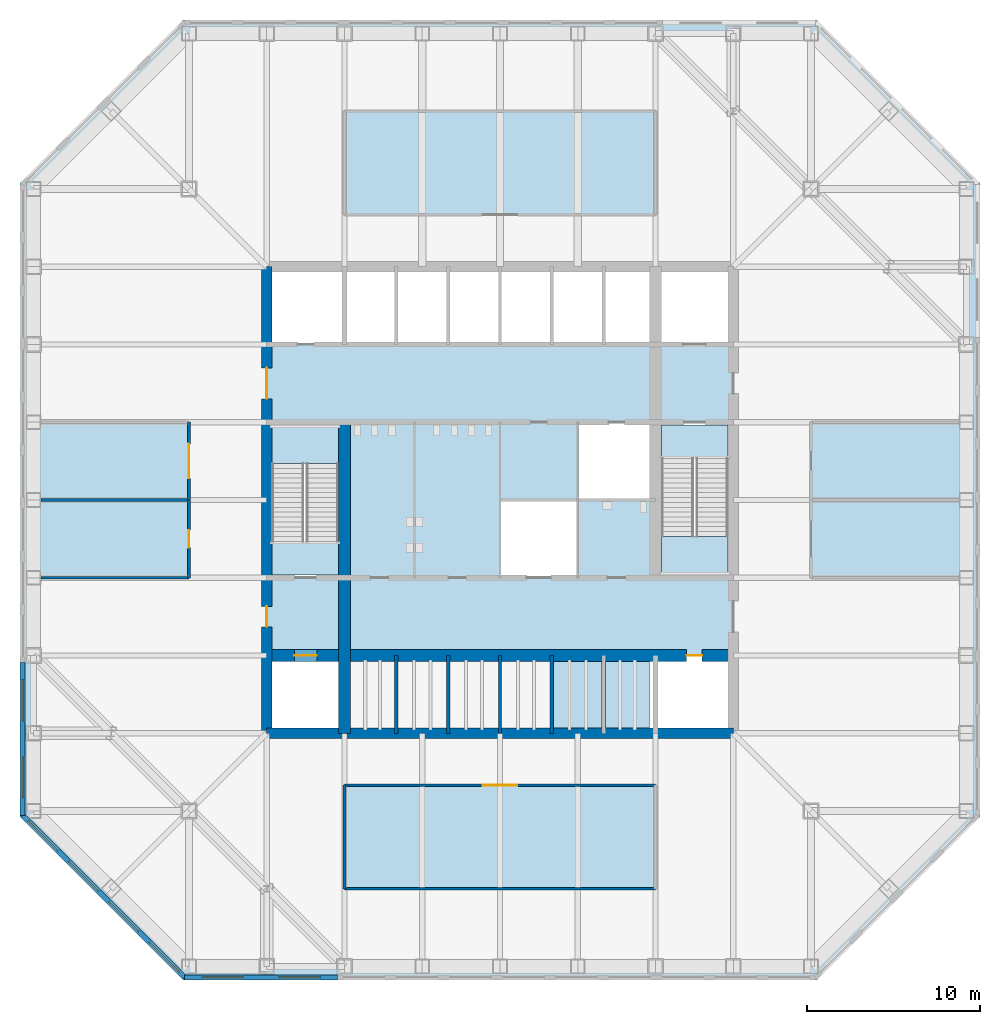
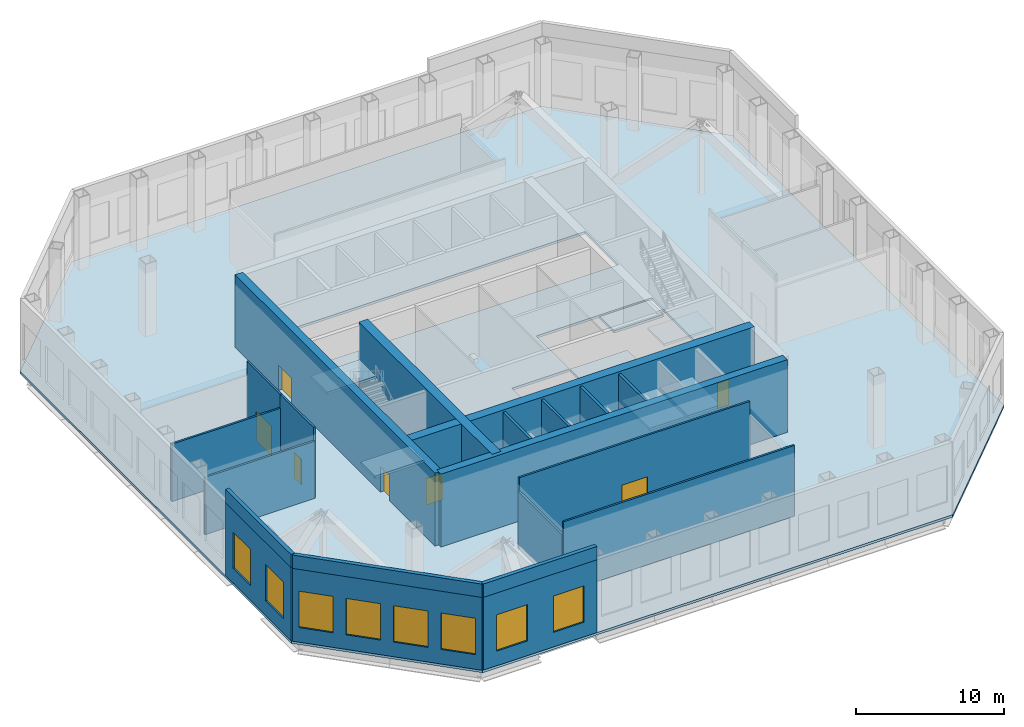
# One storey, part 5 of 11: 21 walls, 8 windows, 7 doors, 7 slabs, 15 openings, 2 elements without a shape of their own.
"""IFC4 building model written with IfcOpenShell, lengths in metres."""

from ifc_helpers import new_model, si_unit, direction, frame, frame_2d, origin, place, context, subcontext, project, spatial, polyline, rectangle, outline, extrude, material, layer, layer_set, type_object, element, fill, aggregate, save


model = new_model("IFC4")

# Units and contexts
model_context = context("Model", 3, precision=1e-05, world=origin(), true_north=direction((0.0, 1.0)))
body_context = subcontext(model_context, "Body", "Model", "MODEL_VIEW")
ifc_project = project(units=[si_unit("LENGTHUNIT", "METRE"), si_unit("AREAUNIT", "SQUARE_METRE"), si_unit("VOLUMEUNIT", "CUBIC_METRE"), si_unit("PLANEANGLEUNIT", "RADIAN"), si_unit("MASSUNIT", "GRAM", prefix="KILO")], contexts=[model_context])

# Site, building, storey
site_placement = place(None, origin())
site = spatial("IfcSite", under=ifc_project, at=site_placement, CompositionType="ELEMENT")
building_placement = place(site_placement, origin())
building = spatial("IfcBuilding", under=site, at=building_placement, Name="Corais Broadcast Tower", CompositionType="ELEMENT")
storey_placement = place(building_placement, frame((0.0, 0.0, 104.60009765625)))
storey = spatial("IfcBuildingStorey", under=building, at=storey_placement, Name="L23", CompositionType="ELEMENT", Elevation=104.60009765625)

# Slabs
ifc_material_1 = material(Name="Concrete C30/37", Category="concrete")
ifc_layer_1 = layer(ifc_material_1, 0.199951171875)
ifc_layer_set_1 = layer_set([ifc_layer_1], Name="Concrete C30/37")
slab_type_1 = type_object("IfcSlabType", Name="Composite floor slab 200", PredefinedType="FLOOR", material=ifc_layer_set_1)
slab_1_placement = place(storey_placement, frame((0.0, 0.0, -0.2001953125)))
element("IfcSlab", 1, at=slab_1_placement, inside=storey, type_object=slab_type_1, Name="S200 floor slab L23", PredefinedType="FLOOR", context=body_context, shape_type="SweptSolid", body=[
    extrude(outline(polyline([(8.677001953125, -0.780029296875), (-0.780029296875, 8.677001953125), (-0.780029296875, 45.322998046875), (8.677001953125, 54.780029296875), (45.322998046875, 54.780029296875), (54.780029296875, 45.322998046875), (54.780029296875, 8.677001953125), (45.322998046875, -0.780029296875), (8.677001953125, -0.780029296875)]), holes=[polyline([(13.5, 18.0), (40.5, 18.0), (40.5, 13.5), (13.5, 13.5), (13.5, 18.0)]), polyline([(13.5, 22.5), (13.5, 31.5), (18.0, 31.5), (18.0, 22.5), (13.5, 22.5)]), polyline([(13.5, 40.5), (40.5, 40.5), (40.5, 36.0), (13.5, 36.0), (13.5, 40.5)]), polyline([(27.0, 22.5), (27.0, 27.0), (31.4951171875, 27.0), (31.4951171875, 27.0048828125), (31.5, 27.0048828125), (31.5, 31.5), (40.5, 31.5), (40.5, 22.5), (36.0, 22.5), (36.0, 27.0), (31.5048828125, 27.0), (31.5048828125, 26.9951171875), (31.5, 26.9951171875), (31.5, 22.5), (27.0, 22.5)])]), origin(), (0.0, 0.0, 1.0), 0.2001953125),
])
ifc_material_2 = material(Name="Concrete C30/37", Category="concrete")
ifc_layer_2 = layer(ifc_material_2, 0.199951171875)
ifc_layer_set_2 = layer_set([ifc_layer_2], Name="Concrete C30/37")
slab_type_2 = type_object("IfcSlabType", Name="Lift shaft slab 200", PredefinedType="FLOOR", material=ifc_layer_set_2)
slab_2_placement = place(storey_placement, frame((0.0, 0.0, 3.39990234375)))
element("IfcSlab", 2, at=slab_2_placement, inside=storey, type_object=slab_type_2, Name="SS1 lift shaft slab L23 5", PredefinedType="FLOOR", context=body_context, shape_type="SweptSolid", body=[
    extrude(outline(polyline([(30.10009765625, 13.800048828125), (32.89990234375, 13.800048828125), (32.89990234375, 17.64990234375), (30.10009765625, 17.64990234375), (30.10009765625, 13.800048828125)])), origin(), (0.0, 0.0, 1.0), 0.199951171875),
])
slab_3_placement = place(storey_placement, frame((0.0, 0.0, 3.39990234375)))
element("IfcSlab", 3, at=slab_3_placement, inside=storey, type_object=slab_type_2, Name="SS1 lift shaft slab L23 6", PredefinedType="FLOOR", context=body_context, shape_type="SweptSolid", body=[
    extrude(outline(polyline([(33.10009765625, 13.800048828125), (35.64990234375, 13.800048828125), (35.64990234375, 17.64990234375), (33.10009765625, 17.64990234375), (33.10009765625, 13.800048828125)])), origin(), (0.0, 0.0, 1.0), 0.199951171875),
])

# Stair, slabs
ifc_material_3 = material(Name="Concrete C30/37", Category="concrete")
stair_type = type_object("IfcStairType", Name="Half-turn stair 6000", PredefinedType="HALF_TURN_STAIR", material=ifc_material_3)
stair_1_placement = place(storey_placement, origin())
stair_1 = element("IfcStair", 4, at=stair_1_placement, inside=storey, type_object=stair_type, Name="Stair A L23", PredefinedType="HALF_TURN_STAIR")
ifc_material_4 = material(Name="Concrete C30/37", Category="concrete")
ifc_layer_3 = layer(ifc_material_4, 0.199951171875)
ifc_layer_set_3 = layer_set([ifc_layer_3], Name="Concrete C30/37")
slab_type_3 = type_object("IfcSlabType", Name="Stair landing 200", PredefinedType="LANDING", material=ifc_layer_set_3)
slab_4_placement = place(storey_placement, frame((0.0, 0.0, -0.2001953125)))
slab_4 = element("IfcSlab", 5, at=slab_4_placement, type_object=slab_type_3, Name="STA landing 1", PredefinedType="LANDING", context=body_context, shape_type="SweptSolid", body=[
    extrude(outline(polyline([(13.800048828125, 22.64990234375), (17.64990234375, 22.64990234375), (17.64990234375, 24.60009765625), (13.800048828125, 24.60009765625), (13.800048828125, 22.64990234375)])), origin(), (0.0, 0.0, 1.0), 0.2001953125),
])
slab_5_placement = place(storey_placement, frame((0.0, 0.0, 2.7998046875)))
slab_5 = element("IfcSlab", 6, at=slab_5_placement, type_object=slab_type_3, Name="STA landing 2", PredefinedType="LANDING", context=body_context, shape_type="SweptSolid", body=[
    extrude(outline(polyline([(13.800048828125, 29.112060546875), (17.64990234375, 29.112060546875), (17.64990234375, 31.35009765625), (13.800048828125, 31.35009765625), (13.800048828125, 29.112060546875)])), origin(), (0.0, 0.0, 1.0), 0.2001953125),
])
aggregate(stair_1, [slab_4, slab_5])

stair_2_placement = place(storey_placement, origin())
stair_2 = element("IfcStair", 7, at=stair_2_placement, inside=storey, type_object=stair_type, Name="Stair B L23", PredefinedType="HALF_TURN_STAIR")
slab_6_placement = place(storey_placement, frame((0.0, 0.0, -0.2001953125)))
slab_6 = element("IfcSlab", 8, at=slab_6_placement, type_object=slab_type_3, Name="STB landing 1", PredefinedType="LANDING", context=body_context, shape_type="SweptSolid", body=[
    extrude(outline(polyline([(36.35009765625, 29.39990234375), (40.199951171875, 29.39990234375), (40.199951171875, 31.35009765625), (36.35009765625, 31.35009765625), (36.35009765625, 29.39990234375)])), origin(), (0.0, 0.0, 1.0), 0.2001953125),
])
slab_7_placement = place(storey_placement, frame((0.0, 0.0, 2.7998046875)))
slab_7 = element("IfcSlab", 9, at=slab_7_placement, type_object=slab_type_3, Name="STB landing 2", PredefinedType="LANDING", context=body_context, shape_type="SweptSolid", body=[
    extrude(outline(polyline([(36.35009765625, 22.64990234375), (40.199951171875, 22.64990234375), (40.199951171875, 24.887939453125), (36.35009765625, 24.887939453125), (36.35009765625, 22.64990234375)])), origin(), (0.0, 0.0, 1.0), 0.2001953125),
])
aggregate(stair_2, [slab_6, slab_7])

# Wall
ifc_material_5 = material(Name="Concrete C50/60", Category="concrete")
ifc_layer_4 = layer(ifc_material_5, 0.699951171875)
ifc_layer_set_4 = layer_set([ifc_layer_4], Name="Concrete C50/60")
wall_type_1 = type_object("IfcWallType", Name="Core spine wall 700", PredefinedType="SHEAR", material=ifc_layer_set_4)
wall_1_placement = place(storey_placement, frame((18.0, 13.5, 0.0), z_axis=(0.0, 0.0, 1.0), x_axis=(0.0, 1.0, 0.0)))
element("IfcWall", 10, at=wall_1_placement, inside=storey, type_object=wall_type_1, Name="CR700 core wall X18A L23", PredefinedType="SHEAR", context=body_context, shape_type="SweptSolid", body=[
    extrude(rectangle(XDim=18.0, YDim=0.699951171875, at=frame_2d((9.0, 0.0))), origin(), (0.0, 0.0, 1.0), 6.0),
])

# Wall, openings, doors
wall_2_placement = place(storey_placement, frame((13.5, 18.0, 0.0), z_axis=(0.0, 0.0, 1.0), x_axis=(1.0, 0.0, 0.0)))
wall_2 = element("IfcWall", 11, at=wall_2_placement, inside=storey, type_object=wall_type_1, Name="CR700 core wall Y18 L23", PredefinedType="SHEAR", context=body_context, shape_type="SweptSolid", body=[
    extrude(rectangle(XDim=27.0, YDim=0.699951171875, at=frame_2d((13.5, 0.0))), origin(), (0.0, 0.0, 1.0), 6.0),
])
opening_1_placement = place(wall_2_placement, frame((24.300048828125, 0.0, 0.0)))
opening_1 = element("IfcOpeningElement", 12, at=opening_1_placement, cuts=wall_2, Name="Opening RD1", PredefinedType="OPENING", context=body_context, shape_type="SweptSolid", body=[
    extrude(rectangle(XDim=0.89990234375, YDim=2.10009765625, at=frame_2d((0.449951171875, 1.050048828125))), frame((0.0, 0.35986328125, 0.0), z_axis=(0.0, -1.0, 0.0), x_axis=(1.0, 0.0, 0.0)), (0.0, 0.0, 1.0), 0.719970703125),
])
opening_2_placement = place(wall_2_placement, frame((1.60009765625, 0.0, 0.0)))
opening_2 = element("IfcOpeningElement", 13, at=opening_2_placement, cuts=wall_2, Name="Opening LD2", PredefinedType="OPENING", context=body_context, shape_type="SweptSolid", body=[
    extrude(rectangle(XDim=1.300048828125, YDim=2.199951171875, at=frame_2d((0.64990234375, 1.10009765625))), frame((0.0, 0.35986328125, 0.0), z_axis=(0.0, -1.0, 0.0), x_axis=(1.0, 0.0, 0.0)), (0.0, 0.0, 1.0), 0.719970703125),
])
ifc_material_6 = material(Name="Stainless steel lift door", Category="steel")
door_type_1 = type_object("IfcDoorType", Name="Lift landing door 1300x2200", OperationType="SLIDING_TO_LEFT", PredefinedType="DOOR", material=ifc_material_6)
door_1_placement = place(opening_2_placement, origin())
door_1 = element("IfcDoor", 14, at=door_1_placement, inside=storey, type_object=door_type_1, Name="LD2 FL1 landing door L23", OperationType="SLIDING_TO_LEFT", OverallHeight=2.199951171875, OverallWidth=1.300048828125, PredefinedType="DOOR", context=body_context, shape_type="SweptSolid", body=[
    extrude(rectangle(XDim=1.300048828125, YDim=2.199951171875, at=frame_2d((0.64990234375, 1.10009765625))), frame((0.0, 0.02490234375, 0.0), z_axis=(0.0, -1.0, 0.0), x_axis=(1.0, 0.0, 0.0)), (0.0, 0.0, 1.0), 0.050048828125),
])
fill(opening_2, door_1)
ifc_material_7 = material(Name="Steel fire door", Category="steel")
door_type_2 = type_object("IfcDoorType", Name="Riser door 900x2100", OperationType="SINGLE_SWING_LEFT", PredefinedType="DOOR", material=ifc_material_7)
door_2_placement = place(opening_1_placement, origin())
door_2 = element("IfcDoor", 15, at=door_2_placement, inside=storey, type_object=door_type_2, Name="RD1 riser door L23", OperationType="SINGLE_SWING_RIGHT", OverallHeight=2.10009765625, OverallWidth=0.89990234375, PredefinedType="DOOR", context=body_context, shape_type="SweptSolid", body=[
    extrude(rectangle(XDim=0.89990234375, YDim=2.10009765625, at=frame_2d((0.449951171875, 1.050048828125))), frame((0.0, 0.02490234375, 0.0), z_axis=(0.0, -1.0, 0.0), x_axis=(1.0, 0.0, 0.0)), (0.0, 0.0, 1.0), 0.050048828125),
])
fill(opening_1, door_2)

# Wall
ifc_material_8 = material(Name="Concrete C50/60", Category="concrete")
ifc_layer_5 = layer(ifc_material_8, 0.60009765625)
ifc_layer_set_5 = layer_set([ifc_layer_5], Name="Concrete C50/60")
wall_type_2 = type_object("IfcWallType", Name="Core wall 600", PredefinedType="SHEAR", material=ifc_layer_set_5)
wall_3_placement = place(storey_placement, frame((13.5, 13.5, 0.0), z_axis=(0.0, 0.0, 1.0), x_axis=(1.0, 0.0, 0.0)))
element("IfcWall", 16, at=wall_3_placement, inside=storey, type_object=wall_type_2, Name="CR600 core wall S L23", PredefinedType="SHEAR", context=body_context, shape_type="SweptSolid", body=[
    extrude(rectangle(XDim=27.0, YDim=0.60009765625, at=frame_2d((13.5, 0.0))), origin(), (0.0, 0.0, 1.0), 6.0),
])

# Wall, openings, doors
wall_4_placement = place(storey_placement, frame((13.5, 40.5, 0.0), z_axis=(0.0, 0.0, 1.0), x_axis=(0.0, -1.0, 0.0)))
wall_4 = element("IfcWall", 17, at=wall_4_placement, inside=storey, type_object=wall_type_2, Name="CR600 core wall W L23", PredefinedType="SHEAR", context=body_context, shape_type="SweptSolid", body=[
    extrude(rectangle(XDim=27.0, YDim=0.60009765625, at=frame_2d((13.5, 0.0))), origin(), (0.0, 0.0, 1.0), 6.0),
])
opening_3_placement = place(wall_4_placement, frame((19.64990234375, 0.0, 0.0)))
opening_3 = element("IfcOpeningElement", 18, at=opening_3_placement, cuts=wall_4, Name="Opening FD1", PredefinedType="OPENING", context=body_context, shape_type="SweptSolid", body=[
    extrude(rectangle(XDim=1.199951171875, YDim=2.10009765625, at=frame_2d((0.60009765625, 1.050048828125))), frame((0.0, 0.31005859375, 0.0), z_axis=(0.0, -1.0, 0.0), x_axis=(1.0, 0.0, 0.0)), (0.0, 0.0, 1.0), 0.6201171875),
])
opening_4_placement = place(wall_4_placement, frame((5.85009765625, 0.0, 0.0)))
opening_4 = element("IfcOpeningElement", 19, at=opening_4_placement, cuts=wall_4, Name="Opening FD2", PredefinedType="OPENING", context=body_context, shape_type="SweptSolid", body=[
    extrude(rectangle(XDim=1.800048828125, YDim=2.10009765625, at=frame_2d((0.89990234375, 1.050048828125))), frame((0.0, 0.31005859375, 0.0), z_axis=(0.0, -1.0, 0.0), x_axis=(1.0, 0.0, 0.0)), (0.0, 0.0, 1.0), 0.6201171875),
])
ifc_material_9 = material(Name="Steel fire door", Category="steel")
door_type_3 = type_object("IfcDoorType", Name="Fire door 1200x2100", OperationType="SINGLE_SWING_LEFT", PredefinedType="DOOR", material=ifc_material_9)
door_3_placement = place(opening_3_placement, origin())
door_3 = element("IfcDoor", 20, at=door_3_placement, inside=storey, type_object=door_type_3, Name="FD1 fire lobby A door L23", OperationType="SINGLE_SWING_RIGHT", OverallHeight=2.10009765625, OverallWidth=1.199951171875, PredefinedType="DOOR", context=body_context, shape_type="SweptSolid", body=[
    extrude(rectangle(XDim=1.199951171875, YDim=2.10009765625, at=frame_2d((0.60009765625, 1.050048828125))), frame((0.0, 0.02490234375, 0.0), z_axis=(0.0, -1.0, 0.0), x_axis=(1.0, 0.0, 0.0)), (0.0, 0.0, 1.0), 0.050048828125),
])
fill(opening_3, door_3)
ifc_material_10 = material(Name="Steel fire door", Category="steel")
door_type_4 = type_object("IfcDoorType", Name="Fire door pair 1800x2100", OperationType="DOUBLE_DOOR_SINGLE_SWING", PredefinedType="DOOR", material=ifc_material_10)
door_4_placement = place(opening_4_placement, origin())
door_4 = element("IfcDoor", 21, at=door_4_placement, inside=storey, type_object=door_type_4, Name="FD2 lift lobby door L23", OperationType="SINGLE_SWING_LEFT", OverallHeight=2.10009765625, OverallWidth=1.800048828125, PredefinedType="DOOR", context=body_context, shape_type="SweptSolid", body=[
    extrude(rectangle(XDim=1.800048828125, YDim=2.10009765625, at=frame_2d((0.89990234375, 1.050048828125))), frame((0.0, 0.02490234375, 0.0), z_axis=(0.0, -1.0, 0.0), x_axis=(1.0, 0.0, 0.0)), (0.0, 0.0, 1.0), 0.050048828125),
])
fill(opening_4, door_4)

# Wall
ifc_material_11 = material(Name="Two layers of fire-rated gypsum board each side on steel studs", Category="steel")
ifc_layer_6 = layer(ifc_material_11, 0.14990234375)
ifc_layer_set_6 = layer_set([ifc_layer_6], Name="Two layers of fire-rated gypsum board each side on steel studs")
wall_type_3 = type_object("IfcWallType", Name="Fire-rated partition 150 EI 60", PredefinedType="PARTITIONING", material=ifc_layer_set_6)
wall_5_placement = place(storey_placement, frame((18.0, 4.5, 0.0), z_axis=(0.0, 0.0, 1.0), x_axis=(1.0, 0.0, 0.0)))
element("IfcWall", 22, at=wall_5_placement, inside=storey, type_object=wall_type_3, Name="IW7 partition L23", PredefinedType="PARTITIONING", context=body_context, shape_type="SweptSolid", body=[
    extrude(rectangle(XDim=18.0, YDim=0.14990234375, at=frame_2d((9.0, 0.0))), origin(), (0.0, 0.0, 1.0), 5.81982421875),
])

# Wall, opening, door
wall_6_placement = place(storey_placement, frame((36.0, 10.5, 0.0), z_axis=(0.0, 0.0, 1.0), x_axis=(-1.0, 0.0, 0.0)))
wall_6 = element("IfcWall", 23, at=wall_6_placement, inside=storey, type_object=wall_type_3, Name="IW7 partition L23", PredefinedType="PARTITIONING", context=body_context, shape_type="SweptSolid", body=[
    extrude(rectangle(XDim=18.0, YDim=0.14990234375, at=frame_2d((9.0, 0.0))), origin(), (0.0, 0.0, 1.0), 5.81982421875),
])
opening_5_placement = place(wall_6_placement, frame((8.0, 0.0, 0.0)))
opening_5 = element("IfcOpeningElement", 24, at=opening_5_placement, cuts=wall_6, Name="Opening D4", PredefinedType="OPENING", context=body_context, shape_type="SweptSolid", body=[
    extrude(rectangle(XDim=2.0, YDim=2.39990234375, at=frame_2d((1.0, 1.199951171875))), frame((0.0, 0.0849609375, 0.0), z_axis=(0.0, -1.0, 0.0), x_axis=(1.0, 0.0, 0.0)), (0.0, 0.0, 1.0), 0.169921875),
])
ifc_material_12 = material(Name="Steel door", Category="steel")
door_type_5 = type_object("IfcDoorType", Name="Plant room door pair 2000x2400", OperationType="DOUBLE_DOOR_SINGLE_SWING", PredefinedType="DOOR", material=ifc_material_12)
door_5_placement = place(opening_5_placement, origin())
door_5 = element("IfcDoor", 25, at=door_5_placement, inside=storey, type_object=door_type_5, Name="D4 Plant room door", OperationType="SINGLE_SWING_LEFT", OverallHeight=2.39990234375, OverallWidth=2.0, PredefinedType="DOOR", context=body_context, shape_type="SweptSolid", body=[
    extrude(rectangle(XDim=2.0, YDim=2.39990234375, at=frame_2d((1.0, 1.199951171875))), frame((0.0, 0.02490234375, 0.0), z_axis=(0.0, -1.0, 0.0), x_axis=(1.0, 0.0, 0.0)), (0.0, 0.0, 1.0), 0.050048828125),
])
fill(opening_5, door_5)

# Walls
wall_7_placement = place(storey_placement, frame((18.0, 10.5, 0.0), z_axis=(0.0, 0.0, 1.0), x_axis=(0.0, -1.0, 0.0)))
element("IfcWall", 26, at=wall_7_placement, inside=storey, type_object=wall_type_3, Name="IW7 partition L23", PredefinedType="PARTITIONING", context=body_context, shape_type="SweptSolid", body=[
    extrude(rectangle(XDim=6.0, YDim=0.14990234375, at=frame_2d((3.0, 0.0))), origin(), (0.0, 0.0, 1.0), 4.719970703125),
])
wall_8_placement = place(storey_placement, frame((0.43505859375, 27.0, 0.0), z_axis=(0.0, 0.0, 1.0), x_axis=(1.0, 0.0, 0.0)))
element("IfcWall", 27, at=wall_8_placement, inside=storey, type_object=wall_type_3, Name="IW7 partition L23", PredefinedType="PARTITIONING", context=body_context, shape_type="SweptSolid", body=[
    extrude(rectangle(XDim=8.56494140625, YDim=0.14990234375, at=frame_2d((4.282470703125, 0.0))), origin(), (0.0, 0.0, 1.0), 4.719970703125),
])

# Wall, opening, door
wall_9_placement = place(storey_placement, frame((9.0, 27.0, 0.0), z_axis=(0.0, 0.0, 1.0), x_axis=(0.0, 1.0, 0.0)))
wall_9 = element("IfcWall", 28, at=wall_9_placement, inside=storey, type_object=wall_type_3, Name="IW7 partition L23", PredefinedType="PARTITIONING", context=body_context, shape_type="SweptSolid", body=[
    extrude(rectangle(XDim=4.5, YDim=0.14990234375, at=frame_2d((2.25, 0.0))), origin(), (0.0, 0.0, 1.0), 5.81982421875),
])
opening_6_placement = place(wall_9_placement, frame((1.25, 0.0, 0.0)))
opening_6 = element("IfcOpeningElement", 29, at=opening_6_placement, cuts=wall_9, Name="Opening D4", PredefinedType="OPENING", context=body_context, shape_type="SweptSolid", body=[
    extrude(rectangle(XDim=2.0, YDim=2.39990234375, at=frame_2d((1.0, 1.199951171875))), frame((0.0, 0.0849609375, 0.0), z_axis=(0.0, -1.0, 0.0), x_axis=(1.0, 0.0, 0.0)), (0.0, 0.0, 1.0), 0.169921875),
])
door_6_placement = place(opening_6_placement, origin())
door_6 = element("IfcDoor", 30, at=door_6_placement, inside=storey, type_object=door_type_5, Name="D4 Air handling plant room door", OperationType="SINGLE_SWING_LEFT", OverallHeight=2.39990234375, OverallWidth=2.0, PredefinedType="DOOR", context=body_context, shape_type="SweptSolid", body=[
    extrude(rectangle(XDim=2.0, YDim=2.39990234375, at=frame_2d((1.0, 1.199951171875))), frame((0.0, 0.02490234375, 0.0), z_axis=(0.0, -1.0, 0.0), x_axis=(1.0, 0.0, 0.0)), (0.0, 0.0, 1.0), 0.050048828125),
])
fill(opening_6, door_6)

# Walls
ifc_material_13 = material(Name="Precast concrete C40/50", Category="concrete")
ifc_layer_7 = layer(ifc_material_13, 0.300048828125)
ifc_layer_set_7 = layer_set([ifc_layer_7], Name="Precast concrete C40/50")
wall_type_4 = type_object("IfcWallType", Name="Parapet wall 300", PredefinedType="PARAPET", material=ifc_layer_set_7)
wall_10_placement = place(storey_placement, frame((8.739013671875, -0.6298828125, 6.0), z_axis=(0.0, 0.0, 1.0), x_axis=(-0.707106781187, 0.707106781187, 0.0)))
element("IfcWall", 31, at=wall_10_placement, inside=storey, type_object=wall_type_4, Name="PW1 parapet L23", PredefinedType="PARAPET", context=body_context, shape_type="SweptSolid", body=[
    extrude(rectangle(XDim=13.24951171875, YDim=0.300048828125, at=frame_2d((6.624755859375, 0.0))), origin(), (0.0, 0.0, 1.0), 1.099853515625),
])
for number, where, z_axis, x_axis, name in (
    (32, (-0.6298828125, 8.739013671875, 6.0), (0.0, 0.0, 1.0), (0.0, 1.0, 0.0), "PW1 parapet L23"),
    (33, (17.59765625, -0.6298828125, 6.0), (0.0, 0.0, 1.0), (-1.0, 0.0, 0.0), "PW1 parapet L23"),
):
    element("IfcWall", number, at=place(storey_placement, frame(where, z_axis=z_axis, x_axis=x_axis)), inside=storey, type_object=wall_type_4, Name=name, PredefinedType="PARAPET", context=body_context, shape_type="SweptSolid", body=[
        extrude(rectangle(XDim=8.858642578125, YDim=0.300048828125, at=frame_2d((4.42919921875, 0.0))), origin(), (0.0, 0.0, 1.0), 1.099853515625),
    ])
ifc_material_14 = material(Name="Gypsum board on steel studs", Category="steel")
ifc_layer_8 = layer(ifc_material_14, 0.14990234375)
ifc_layer_set_8 = layer_set([ifc_layer_8], Name="Gypsum board on steel studs")
wall_type_5 = type_object("IfcWallType", Name="Partition 150", PredefinedType="PARTITIONING", material=ifc_layer_set_8)
wall_11_placement = place(storey_placement, frame((0.43505859375, 22.5, 0.0), z_axis=(0.0, 0.0, 1.0), x_axis=(1.0, 0.0, 0.0)))
element("IfcWall", 34, at=wall_11_placement, inside=storey, type_object=wall_type_5, Name="IW3 partition L23", PredefinedType="PARTITIONING", context=body_context, shape_type="SweptSolid", body=[
    extrude(rectangle(XDim=8.56494140625, YDim=0.14990234375, at=frame_2d((4.282470703125, 0.0))), origin(), (0.0, 0.0, 1.0), 4.719970703125),
])

# Wall, opening, door
wall_12_placement = place(storey_placement, frame((9.0, 22.5, 0.0), z_axis=(0.0, 0.0, 1.0), x_axis=(0.0, 1.0, 0.0)))
wall_12 = element("IfcWall", 35, at=wall_12_placement, inside=storey, type_object=wall_type_5, Name="IW3 partition L23", PredefinedType="PARTITIONING", context=body_context, shape_type="SweptSolid", body=[
    extrude(rectangle(XDim=4.5, YDim=0.14990234375, at=frame_2d((2.25, 0.0))), origin(), (0.0, 0.0, 1.0), 5.81982421875),
])
opening_7_placement = place(wall_12_placement, frame((1.75, 0.0, 0.0)))
opening_7 = element("IfcOpeningElement", 36, at=opening_7_placement, cuts=wall_12, Name="Opening D1", PredefinedType="OPENING", context=body_context, shape_type="SweptSolid", body=[
    extrude(rectangle(XDim=1.0, YDim=2.10009765625, at=frame_2d((0.5, 1.050048828125))), frame((0.0, 0.0849609375, 0.0), z_axis=(0.0, -1.0, 0.0), x_axis=(1.0, 0.0, 0.0)), (0.0, 0.0, 1.0), 0.169921875),
])
ifc_material_15 = material(Name="Timber door", Category="wood")
door_type_6 = type_object("IfcDoorType", Name="Single door 1000x2100", OperationType="SINGLE_SWING_LEFT", PredefinedType="DOOR", material=ifc_material_15)
door_7_placement = place(opening_7_placement, origin())
door_7 = element("IfcDoor", 37, at=door_7_placement, inside=storey, type_object=door_type_6, Name="D1 Refuge area west door", OperationType="SINGLE_SWING_LEFT", OverallHeight=2.10009765625, OverallWidth=1.0, PredefinedType="DOOR", context=body_context, shape_type="SweptSolid", body=[
    extrude(rectangle(XDim=1.0, YDim=2.10009765625, at=frame_2d((0.5, 1.050048828125))), frame((0.0, 0.02490234375, 0.0), z_axis=(0.0, -1.0, 0.0), x_axis=(1.0, 0.0, 0.0)), (0.0, 0.0, 1.0), 0.050048828125),
])
fill(opening_7, door_7)

# Walls
ifc_material_16 = material(Name="Concrete blockwork class A, grouted, two-hour", Category="masonry")
ifc_layer_9 = layer(ifc_material_16, 0.199951171875)
ifc_layer_set_9 = layer_set([ifc_layer_9], Name="Concrete blockwork class A, grouted, two-hour")
wall_type_6 = type_object("IfcWallType", Name="Shaft wall 200", PredefinedType="PARTITIONING", material=ifc_layer_set_9)
for number, where, z_axis, x_axis, name in (
    (38, (21.0, 13.5, 0.0), (0.0, 0.0, 1.0), (0.0, 1.0, 0.0), "IW1 shaft wall L23"),
    (39, (24.0, 13.5, 0.0), (0.0, 0.0, 1.0), (0.0, 1.0, 0.0), "IW1 shaft wall L23"),
    (40, (27.0, 13.5, 0.0), (0.0, 0.0, 1.0), (0.0, 1.0, 0.0), "IW1 shaft wall L23"),
    (41, (30.0, 13.5, 0.0), (0.0, 0.0, 1.0), (0.0, 1.0, 0.0), "IW1 shaft wall L23"),
):
    element("IfcWall", number, at=place(storey_placement, frame(where, z_axis=z_axis, x_axis=x_axis)), inside=storey, type_object=wall_type_6, Name=name, PredefinedType="PARTITIONING", context=body_context, shape_type="SweptSolid", body=[
        extrude(rectangle(XDim=4.5, YDim=0.199951171875, at=frame_2d((2.25, 0.0))), origin(), (0.0, 0.0, 1.0), 5.81982421875),
    ])

# Wall, openings, windows
ifc_material_17 = material(Name="Precast concrete C40/50", Category="concrete")
ifc_layer_10 = layer(ifc_material_17, 0.300048828125)
ifc_layer_set_10 = layer_set([ifc_layer_10], Name="Precast concrete C40/50")
wall_type_7 = type_object("IfcWallType", Name="Stone-faced precast wall 300", PredefinedType="SOLIDWALL", material=ifc_layer_set_10)
wall_13_placement = place(storey_placement, frame((8.739013671875, -0.6298828125, 0.0), z_axis=(0.0, 0.0, 1.0), x_axis=(-0.707106781187, 0.707106781187, 0.0)))
wall_13 = element("IfcWall", 42, at=wall_13_placement, inside=storey, type_object=wall_type_7, Name="EW1 external wall L23 1", PredefinedType="SOLIDWALL", context=body_context, shape_type="SweptSolid", body=[
    extrude(rectangle(XDim=13.24951171875, YDim=0.300048828125, at=frame_2d((6.624755859375, 0.0))), origin(), (0.0, 0.0, 1.0), 6.0),
])
opening_8_placement = place(wall_13_placement, frame((0.456298828125, 0.0, 1.199951171875)))
opening_8 = element("IfcOpeningElement", 43, at=opening_8_placement, cuts=wall_13, Name="Opening LV1", PredefinedType="OPENING", context=body_context, shape_type="SweptSolid", body=[
    extrude(rectangle(XDim=2.39990234375, YDim=3.0, at=frame_2d((1.199951171875, 1.5))), frame((0.0, 0.159912109375, 0.0), z_axis=(0.0, -1.0, 0.0), x_axis=(1.0, 0.0, 0.0)), (0.0, 0.0, 1.0), 0.320068359375),
])
opening_9_placement = place(wall_13_placement, frame((3.7685546875, 0.0, 1.199951171875)))
opening_9 = element("IfcOpeningElement", 44, at=opening_9_placement, cuts=wall_13, Name="Opening LV1", PredefinedType="OPENING", context=body_context, shape_type="SweptSolid", body=[
    extrude(rectangle(XDim=2.39990234375, YDim=3.0, at=frame_2d((1.199951171875, 1.5))), frame((0.0, 0.159912109375, 0.0), z_axis=(0.0, -1.0, 0.0), x_axis=(1.0, 0.0, 0.0)), (0.0, 0.0, 1.0), 0.320068359375),
])
opening_10_placement = place(wall_13_placement, frame((7.0810546875, 0.0, 1.199951171875)))
opening_10 = element("IfcOpeningElement", 45, at=opening_10_placement, cuts=wall_13, Name="Opening LV1", PredefinedType="OPENING", context=body_context, shape_type="SweptSolid", body=[
    extrude(rectangle(XDim=2.39990234375, YDim=3.0, at=frame_2d((1.199951171875, 1.5))), frame((0.0, 0.159912109375, 0.0), z_axis=(0.0, -1.0, 0.0), x_axis=(1.0, 0.0, 0.0)), (0.0, 0.0, 1.0), 0.320068359375),
])
opening_11_placement = place(wall_13_placement, frame((10.3935546875, 0.0, 1.199951171875)))
opening_11 = element("IfcOpeningElement", 46, at=opening_11_placement, cuts=wall_13, Name="Opening LV1", PredefinedType="OPENING", context=body_context, shape_type="SweptSolid", body=[
    extrude(rectangle(XDim=2.39990234375, YDim=3.0, at=frame_2d((1.199951171875, 1.5))), frame((0.0, 0.159912109375, 0.0), z_axis=(0.0, -1.0, 0.0), x_axis=(1.0, 0.0, 0.0)), (0.0, 0.0, 1.0), 0.320068359375),
])
ifc_material_18 = material(Name="Aluminium frame", Category="aluminium")
window_type = type_object("IfcWindowType", Name="Plant louvre 2400x3000", PartitioningType="SINGLE_PANEL", PredefinedType="USERDEFINED", material=ifc_material_18)
window_1_placement = place(opening_8_placement, origin())
window_1 = element("IfcWindow", 47, at=window_1_placement, inside=storey, type_object=window_type, Name="LV1 window L23", ObjectType="LOUVRE", OverallHeight=3.0, OverallWidth=2.39990234375, PartitioningType="SINGLE_PANEL", PredefinedType="USERDEFINED", context=body_context, shape_type="SweptSolid", body=[
    extrude(rectangle(XDim=2.39990234375, YDim=3.0, at=frame_2d((1.199951171875, 1.5))), frame((0.0, 0.030029296875, 0.0), z_axis=(0.0, -1.0, 0.0), x_axis=(1.0, 0.0, 0.0)), (0.0, 0.0, 1.0), 0.06005859375),
])
fill(opening_8, window_1)
window_2_placement = place(opening_9_placement, origin())
window_2 = element("IfcWindow", 48, at=window_2_placement, inside=storey, type_object=window_type, Name="LV1 window L23", ObjectType="LOUVRE", OverallHeight=3.0, OverallWidth=2.39990234375, PartitioningType="SINGLE_PANEL", PredefinedType="USERDEFINED", context=body_context, shape_type="SweptSolid", body=[
    extrude(rectangle(XDim=2.39990234375, YDim=3.0, at=frame_2d((1.199951171875, 1.5))), frame((0.0, 0.030029296875, 0.0), z_axis=(0.0, -1.0, 0.0), x_axis=(1.0, 0.0, 0.0)), (0.0, 0.0, 1.0), 0.06005859375),
])
fill(opening_9, window_2)
window_3_placement = place(opening_10_placement, origin())
window_3 = element("IfcWindow", 49, at=window_3_placement, inside=storey, type_object=window_type, Name="LV1 window L23", ObjectType="LOUVRE", OverallHeight=3.0, OverallWidth=2.39990234375, PartitioningType="SINGLE_PANEL", PredefinedType="USERDEFINED", context=body_context, shape_type="SweptSolid", body=[
    extrude(rectangle(XDim=2.39990234375, YDim=3.0, at=frame_2d((1.199951171875, 1.5))), frame((0.0, 0.030029296875, 0.0), z_axis=(0.0, -1.0, 0.0), x_axis=(1.0, 0.0, 0.0)), (0.0, 0.0, 1.0), 0.06005859375),
])
fill(opening_10, window_3)
window_4_placement = place(opening_11_placement, origin())
window_4 = element("IfcWindow", 50, at=window_4_placement, inside=storey, type_object=window_type, Name="LV1 window L23", ObjectType="LOUVRE", OverallHeight=3.0, OverallWidth=2.39990234375, PartitioningType="SINGLE_PANEL", PredefinedType="USERDEFINED", context=body_context, shape_type="SweptSolid", body=[
    extrude(rectangle(XDim=2.39990234375, YDim=3.0, at=frame_2d((1.199951171875, 1.5))), frame((0.0, 0.030029296875, 0.0), z_axis=(0.0, -1.0, 0.0), x_axis=(1.0, 0.0, 0.0)), (0.0, 0.0, 1.0), 0.06005859375),
])
fill(opening_11, window_4)

wall_14_placement = place(storey_placement, frame((-0.6298828125, 8.739013671875, 0.0), z_axis=(0.0, 0.0, 1.0), x_axis=(0.0, 1.0, 0.0)))
wall_14 = element("IfcWall", 51, at=wall_14_placement, inside=storey, type_object=wall_type_7, Name="EW1 external wall L23 2", PredefinedType="SOLIDWALL", context=body_context, shape_type="SweptSolid", body=[
    extrude(rectangle(XDim=8.858642578125, YDim=0.300048828125, at=frame_2d((4.42919921875, 0.0))), origin(), (0.0, 0.0, 1.0), 6.0),
])
opening_12_placement = place(wall_14_placement, frame((1.0146484375, 0.0, 1.199951171875)))
opening_12 = element("IfcOpeningElement", 52, at=opening_12_placement, cuts=wall_14, Name="Opening LV1", PredefinedType="OPENING", context=body_context, shape_type="SweptSolid", body=[
    extrude(rectangle(XDim=2.39990234375, YDim=3.0, at=frame_2d((1.199951171875, 1.5))), frame((0.0, 0.159912109375, 0.0), z_axis=(0.0, -1.0, 0.0), x_axis=(1.0, 0.0, 0.0)), (0.0, 0.0, 1.0), 0.320068359375),
])
opening_13_placement = place(wall_14_placement, frame((5.44384765625, 0.0, 1.199951171875)))
opening_13 = element("IfcOpeningElement", 53, at=opening_13_placement, cuts=wall_14, Name="Opening LV1", PredefinedType="OPENING", context=body_context, shape_type="SweptSolid", body=[
    extrude(rectangle(XDim=2.39990234375, YDim=3.0, at=frame_2d((1.199951171875, 1.5))), frame((0.0, 0.159912109375, 0.0), z_axis=(0.0, -1.0, 0.0), x_axis=(1.0, 0.0, 0.0)), (0.0, 0.0, 1.0), 0.320068359375),
])
window_5_placement = place(opening_12_placement, origin())
window_5 = element("IfcWindow", 54, at=window_5_placement, inside=storey, type_object=window_type, Name="LV1 window L23", ObjectType="LOUVRE", OverallHeight=3.0, OverallWidth=2.39990234375, PartitioningType="SINGLE_PANEL", PredefinedType="USERDEFINED", context=body_context, shape_type="SweptSolid", body=[
    extrude(rectangle(XDim=2.39990234375, YDim=3.0, at=frame_2d((1.199951171875, 1.5))), frame((0.0, 0.030029296875, 0.0), z_axis=(0.0, -1.0, 0.0), x_axis=(1.0, 0.0, 0.0)), (0.0, 0.0, 1.0), 0.06005859375),
])
fill(opening_12, window_5)
window_6_placement = place(opening_13_placement, origin())
window_6 = element("IfcWindow", 55, at=window_6_placement, inside=storey, type_object=window_type, Name="LV1 window L23", ObjectType="LOUVRE", OverallHeight=3.0, OverallWidth=2.39990234375, PartitioningType="SINGLE_PANEL", PredefinedType="USERDEFINED", context=body_context, shape_type="SweptSolid", body=[
    extrude(rectangle(XDim=2.39990234375, YDim=3.0, at=frame_2d((1.199951171875, 1.5))), frame((0.0, 0.030029296875, 0.0), z_axis=(0.0, -1.0, 0.0), x_axis=(1.0, 0.0, 0.0)), (0.0, 0.0, 1.0), 0.06005859375),
])
fill(opening_13, window_6)

wall_15_placement = place(storey_placement, frame((17.59765625, -0.6298828125, 0.0), z_axis=(0.0, 0.0, 1.0), x_axis=(-1.0, 0.0, 0.0)))
wall_15 = element("IfcWall", 56, at=wall_15_placement, inside=storey, type_object=wall_type_7, Name="EW1 external wall L23 8", PredefinedType="SOLIDWALL", context=body_context, shape_type="SweptSolid", body=[
    extrude(rectangle(XDim=8.858642578125, YDim=0.300048828125, at=frame_2d((4.42919921875, 0.0))), origin(), (0.0, 0.0, 1.0), 6.0),
])
opening_14_placement = place(wall_15_placement, frame((1.0146484375, 0.0, 1.199951171875)))
opening_14 = element("IfcOpeningElement", 57, at=opening_14_placement, cuts=wall_15, Name="Opening LV1", PredefinedType="OPENING", context=body_context, shape_type="SweptSolid", body=[
    extrude(rectangle(XDim=2.39990234375, YDim=3.0, at=frame_2d((1.199951171875, 1.5))), frame((0.0, 0.159912109375, 0.0), z_axis=(0.0, -1.0, 0.0), x_axis=(1.0, 0.0, 0.0)), (0.0, 0.0, 1.0), 0.320068359375),
])
opening_15_placement = place(wall_15_placement, frame((5.44384765625, 0.0, 1.199951171875)))
opening_15 = element("IfcOpeningElement", 58, at=opening_15_placement, cuts=wall_15, Name="Opening LV1", PredefinedType="OPENING", context=body_context, shape_type="SweptSolid", body=[
    extrude(rectangle(XDim=2.39990234375, YDim=3.0, at=frame_2d((1.199951171875, 1.5))), frame((0.0, 0.159912109375, 0.0), z_axis=(0.0, -1.0, 0.0), x_axis=(1.0, 0.0, 0.0)), (0.0, 0.0, 1.0), 0.320068359375),
])
window_7_placement = place(opening_14_placement, origin())
window_7 = element("IfcWindow", 59, at=window_7_placement, inside=storey, type_object=window_type, Name="LV1 window L23", ObjectType="LOUVRE", OverallHeight=3.0, OverallWidth=2.39990234375, PartitioningType="SINGLE_PANEL", PredefinedType="USERDEFINED", context=body_context, shape_type="SweptSolid", body=[
    extrude(rectangle(XDim=2.39990234375, YDim=3.0, at=frame_2d((1.199951171875, 1.5))), frame((0.0, 0.030029296875, 0.0), z_axis=(0.0, -1.0, 0.0), x_axis=(1.0, 0.0, 0.0)), (0.0, 0.0, 1.0), 0.06005859375),
])
fill(opening_14, window_7)
window_8_placement = place(opening_15_placement, origin())
window_8 = element("IfcWindow", 60, at=window_8_placement, inside=storey, type_object=window_type, Name="LV1 window L23", ObjectType="LOUVRE", OverallHeight=3.0, OverallWidth=2.39990234375, PartitioningType="SINGLE_PANEL", PredefinedType="USERDEFINED", context=body_context, shape_type="SweptSolid", body=[
    extrude(rectangle(XDim=2.39990234375, YDim=3.0, at=frame_2d((1.199951171875, 1.5))), frame((0.0, 0.030029296875, 0.0), z_axis=(0.0, -1.0, 0.0), x_axis=(1.0, 0.0, 0.0)), (0.0, 0.0, 1.0), 0.06005859375),
])
fill(opening_15, window_8)

save(model, "model.ifc")
